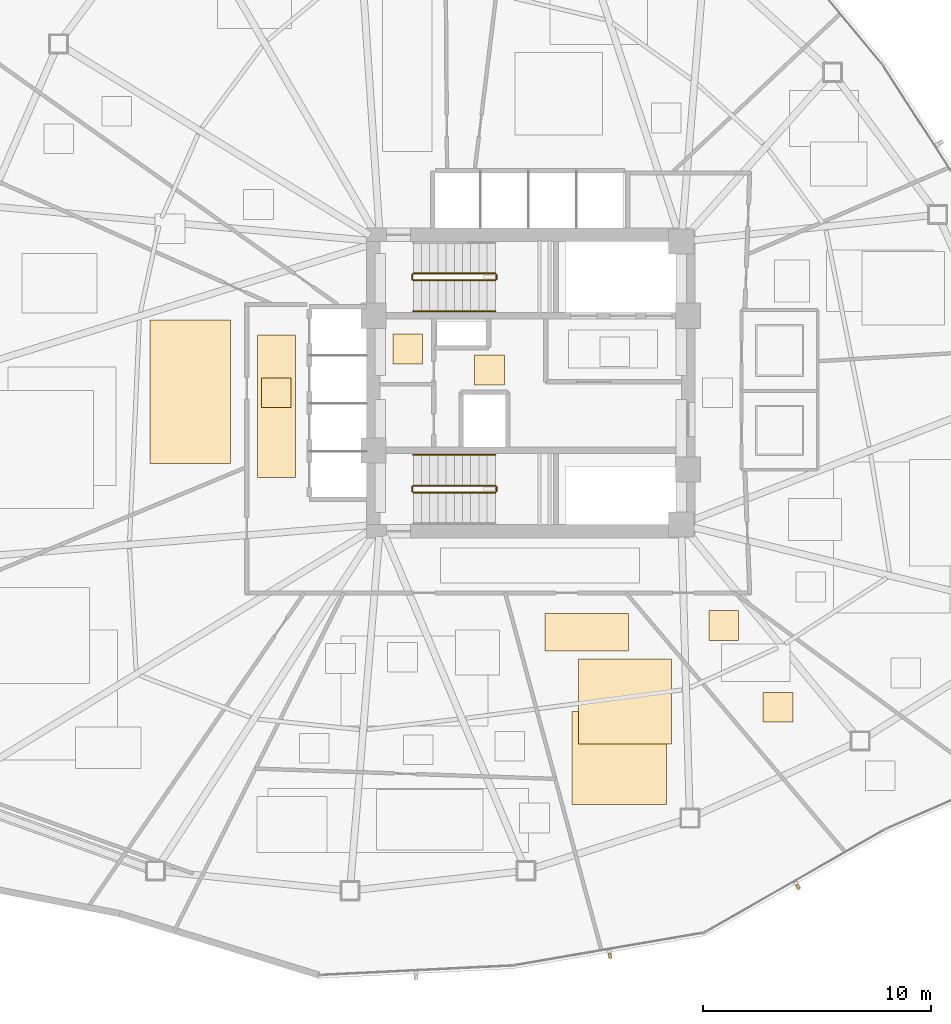
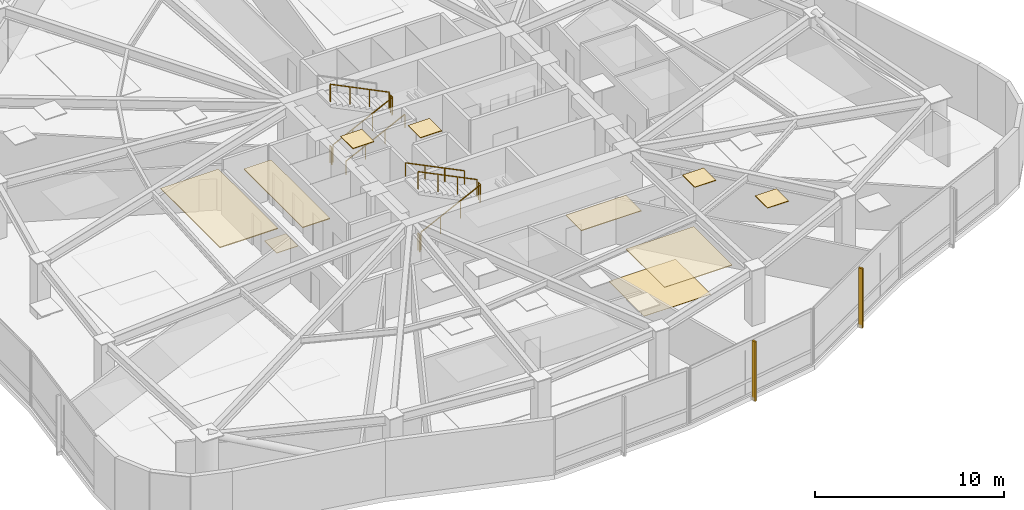
# One storey, part 16 of 18: 10 coverings, 10 railings, 2 shading devices.
"""IFC4 building model written with IfcOpenShell, lengths in metres."""

import ifcopenshell
import ifcopenshell.guid

model = None  # the IFC model being written
_history = None  # IfcOwnerHistory: only IFC2X3 demands one
_inside = {}  # id of a spatial element -> (the spatial element, [elements in it])
_under = {}  # id of a project, library or spatial element -> (it, [spatial elements below it])
_declared = {}  # id of a project -> (the project, [libraries it declares])
_typed = {}  # id of a type object -> (the type object, [elements of that type])
_made_of = {}  # id of a material, layer set ... -> (it, [elements and type objects made of it])


def new_model(schema):
    """Start an empty IFC model of exactly this schema.

    Asked for "IFC4X3", IfcOpenShell would pick the latest addendum, in which some entities
    have other attributes; the version numbers below select the first issue.
    IFC2X3 requires an IfcOwnerHistory on every rooted entity: one is made here for all.
    """
    global model, _history
    if schema == "IFC4X3":
        model = ifcopenshell.file(schema_version=(4, 3, 0, 0))
    else:
        model = ifcopenshell.file(schema=schema)
    _inside.clear()
    _under.clear()
    _declared.clear()
    _typed.clear()
    _made_of.clear()
    _history = None
    if model.schema == "IFC2X3":
        org = make("IfcOrganization", Name="unknown")
        user = make(
            "IfcPersonAndOrganization",
            ThePerson=make("IfcPerson", FamilyName="unknown"),
            TheOrganization=org,
        )
        app = make(
            "IfcApplication",
            ApplicationDeveloper=org,
            Version="unknown",
            ApplicationFullName="unknown",
            ApplicationIdentifier="unknown",
        )
        _history = make(
            "IfcOwnerHistory",
            OwningUser=user,
            OwningApplication=app,
            ChangeAction="ADDED",
            CreationDate=0,
        )
    return model


def make(cls, **values):
    """One entity of the class cls with the attributes given. An attribute that is None is left unset."""
    return model.create_entity(
        cls, **{name: value for name, value in values.items() if value is not None}
    )


def rooted(cls, **values):
    """An entity with a GlobalId (a new one), such as an element, a storey or a relation."""
    return make(cls, GlobalId=ifcopenshell.guid.new(), OwnerHistory=_history, **values)


def si_unit(unit_type, name, prefix=None):
    """IfcSIUnit, for example si_unit("LENGTHUNIT", "METRE", prefix="MILLI")."""
    return make("IfcSIUnit", UnitType=unit_type, Prefix=prefix, Name=name)


def assignment(units):
    """IfcUnitAssignment: the units of a project."""
    return None if units is None else make("IfcUnitAssignment", Units=units)


def point(xyz):
    """IfcCartesianPoint."""
    return None if xyz is None else make("IfcCartesianPoint", Coordinates=xyz)


def direction(xyz):
    """IfcDirection."""
    return None if xyz is None else make("IfcDirection", DirectionRatios=xyz)


def frame(location, z_axis=None, x_axis=None):
    """IfcAxis2Placement3D, a coordinate frame: its origin and axes. An axis left out is left unset."""
    return make(
        "IfcAxis2Placement3D",
        Location=point(location),
        Axis=direction(z_axis),
        RefDirection=direction(x_axis),
    )


def frame_2d(location, x_axis=None):
    """IfcAxis2Placement2D, a coordinate frame in the plane: its origin and x axis."""
    return make(
        "IfcAxis2Placement2D", Location=point(location), RefDirection=direction(x_axis)
    )


def origin():
    """The frame at (0, 0, 0) with its axes left unset."""
    return frame((0.0, 0.0, 0.0))


def origin_2d():
    """The frame at (0, 0) in the plane with its x axis left unset."""
    return frame_2d((0.0, 0.0))


def place(relative_to, where):
    """IfcLocalPlacement: puts the frame where relative to a parent placement (None: the world)."""
    return make(
        "IfcLocalPlacement", PlacementRelTo=relative_to, RelativePlacement=where
    )


def context(
    kind, dimensions, precision=None, world=None, true_north=None, identifier=None
):
    """IfcGeometricRepresentationContext, for example the 3D "Model" context."""
    return make(
        "IfcGeometricRepresentationContext",
        ContextIdentifier=identifier,
        ContextType=kind,
        CoordinateSpaceDimension=dimensions,
        Precision=precision,
        WorldCoordinateSystem=world,
        TrueNorth=true_north,
    )


def subcontext(parent, identifier, kind, view, scale=None):
    """IfcGeometricRepresentationSubContext, for example "Body" below "Model"."""
    return make(
        "IfcGeometricRepresentationSubContext",
        ContextIdentifier=identifier,
        ContextType=kind,
        ParentContext=parent,
        TargetScale=scale,
        TargetView=view,
    )


def project(units=None, contexts=None):
    """IfcProject with its units and contexts."""
    return rooted(
        "IfcProject",
        Name="project",
        RepresentationContexts=contexts,
        UnitsInContext=assignment(units),
    )


def spatial(cls, under=None, at=None, **own):
    """A site, building, storey or space (cls), placed at a placement, below another one or the project."""
    s = rooted(cls, ObjectPlacement=at, **own)
    if under is not None:
        _under.setdefault(under.id(), (under, []))[1].append(s)
    return s


def polyline(points):
    """IfcPolyline through the points."""
    return make("IfcPolyline", Points=[point(p) for p in points])


def profile(cls, at=None, kind="AREA", **sizes):
    """A parametric profile (cls). Its sizes go by their IFC names, for example OverallWidth=200.0."""
    return make(cls, ProfileType=kind, Position=at, **sizes)


def rectangle(**sizes):
    """IfcRectangleProfileDef."""
    return profile("IfcRectangleProfileDef", **sizes)


def outline(outer, holes=None, kind="AREA"):
    """IfcArbitraryClosedProfileDef: a profile drawn as a closed curve; with holes, ...WithVoids."""
    if holes is None:
        return make("IfcArbitraryClosedProfileDef", ProfileType=kind, OuterCurve=outer)
    return make(
        "IfcArbitraryProfileDefWithVoids",
        ProfileType=kind,
        OuterCurve=outer,
        InnerCurves=holes,
    )


def extrude(swept, where, along, depth):
    """IfcExtrudedAreaSolid: the profile swept, set in the frame where, extruded along a direction by depth."""
    return make(
        "IfcExtrudedAreaSolid",
        SweptArea=swept,
        Position=where,
        ExtrudedDirection=direction(along),
        Depth=depth,
    )


def shape(context_of_items, identifier, shape_type, items):
    """IfcShapeRepresentation: the items that make up one representation, for example the "Body"."""
    return make(
        "IfcShapeRepresentation",
        ContextOfItems=context_of_items,
        RepresentationIdentifier=identifier,
        RepresentationType=shape_type,
        Items=items,
    )


def source(mapping_origin, context_of_items, identifier, shape_type, items):
    """IfcRepresentationMap: a shape defined once, which mapped items show again and again."""
    return make(
        "IfcRepresentationMap",
        MappingOrigin=mapping_origin,
        MappedRepresentation=shape(context_of_items, identifier, shape_type, items),
    )


def transform(
    local_origin,
    x_axis=None,
    y_axis=None,
    z_axis=None,
    scale=None,
    scale2=None,
    scale3=None,
    uniform=True,
):
    """IfcCartesianTransformationOperator3D, or its non-uniform kind. x_axis, y_axis, z_axis: its Axis1, 2, 3."""
    if uniform:
        return make(
            "IfcCartesianTransformationOperator3D",
            Axis1=direction(x_axis),
            Axis2=direction(y_axis),
            LocalOrigin=point(local_origin),
            Scale=scale,
            Axis3=direction(z_axis),
        )
    return make(
        "IfcCartesianTransformationOperator3DnonUniform",
        Axis1=direction(x_axis),
        Axis2=direction(y_axis),
        LocalOrigin=point(local_origin),
        Scale=scale,
        Axis3=direction(z_axis),
        Scale2=scale2,
        Scale3=scale3,
    )


def mapped(mapping_source, mapping_target):
    """IfcMappedItem: shows the shape of a source again, moved by a transform."""
    return make(
        "IfcMappedItem", MappingSource=mapping_source, MappingTarget=mapping_target
    )


def material(Name=None, Category=None):
    """IfcMaterial."""
    return make("IfcMaterial", Name=Name, Category=Category)


def layer(
    of_material, thickness, ventilated=None, Name=None, Category=None, Priority=None
):
    """IfcMaterialLayer: one layer of a wall or slab, of a material (None: an air gap)."""
    return make(
        "IfcMaterialLayer",
        Material=of_material,
        LayerThickness=thickness,
        IsVentilated=ventilated,
        Name=Name,
        Category=Category,
        Priority=Priority,
    )


def layer_set(layers, Name=None):
    """IfcMaterialLayerSet."""
    return make("IfcMaterialLayerSet", MaterialLayers=layers, LayerSetName=Name)


def made_of(thing, what):
    """Note that an element or type object is made of a material, layer set ...; save() writes the relation."""
    if what is not None:
        _made_of.setdefault(what.id(), (what, []))[1].append(thing)
    return thing


def type_object(cls, material=None, **own):
    """A type object (cls), such as IfcWallType, which elements share."""
    return made_of(rooted(cls, **own), material)


def type_shapes(of_type, sources):
    """Give a type object the sources (RepresentationMaps) that its elements show as mapped items."""
    of_type.RepresentationMaps = sources


def element(
    cls,
    number,
    at=None,
    inside=None,
    cuts=None,
    type_object=None,
    material=None,
    context=None,
    identifier="Body",
    shape_type=None,
    held_by="IfcProductDefinitionShape",
    body=None,
    shapes=None,
    **own,
):
    """One element of the class cls, such as IfcWall. Its Tag is "e" and its number.

    at: its placement. inside: the storey or other place that contains it. cuts: it is an
    opening in that element (IfcRelVoidsElement). A single representation is given by context,
    identifier, shape_type and body (its items); several are given by shapes. held_by: the class
    of the entity that holds the representations. save() writes the other relations.
    """
    e = rooted(cls, Tag="e%d" % number, ObjectPlacement=at, **own)
    if body is not None:
        shapes = [shape(context, identifier, shape_type, body)]
    if shapes is not None:
        e.Representation = make(held_by, Representations=shapes)
    if inside is not None:
        _inside.setdefault(inside.id(), (inside, []))[1].append(e)
    if cuts is not None:
        rooted(
            "IfcRelVoidsElement", RelatingBuildingElement=cuts, RelatedOpeningElement=e
        )
    if type_object is not None:
        _typed.setdefault(type_object.id(), (type_object, []))[1].append(e)
    return made_of(e, material)


def aggregate(whole, parts):
    """IfcRelAggregates: a whole, such as a stair, and the parts it consists of."""
    return rooted("IfcRelAggregates", RelatingObject=whole, RelatedObjects=parts)


def save(model, path):
    """Write the relations noted so far, then the file.

    IfcRelAggregates (storeys below a building ...), IfcRelContainedInSpatialStructure (elements
    in a storey), IfcRelDefinesByType, IfcRelAssociatesMaterial and IfcRelDeclares: one each for
    every whole, place, type object, material and project.
    """
    for whole, parts in _under.values():
        aggregate(whole, parts)
    for where, things in _inside.values():
        rooted(
            "IfcRelContainedInSpatialStructure",
            RelatedElements=things,
            RelatingStructure=where,
        )
    for kind, things in _typed.values():
        rooted("IfcRelDefinesByType", RelatedObjects=things, RelatingType=kind)
    for what, things in _made_of.values():
        rooted("IfcRelAssociatesMaterial", RelatedObjects=things, RelatingMaterial=what)
    for by, libraries in _declared.values():
        rooted("IfcRelDeclares", RelatingContext=by, RelatedDefinitions=libraries)
    model.write(path)


model = new_model("IFC4")

# Units and contexts
model_context = context("Model", 3, precision=1e-05, world=origin(), true_north=direction((0.0, 1.0)))
body_context = subcontext(model_context, "Body", "Model", "MODEL_VIEW")
ifc_project = project(units=[si_unit("LENGTHUNIT", "METRE"), si_unit("AREAUNIT", "SQUARE_METRE"), si_unit("VOLUMEUNIT", "CUBIC_METRE"), si_unit("PLANEANGLEUNIT", "RADIAN"), si_unit("MASSUNIT", "GRAM", prefix="KILO")], contexts=[model_context])

# Site, building, storey
site_placement = place(None, origin())
site = spatial("IfcSite", under=ifc_project, at=site_placement, CompositionType="ELEMENT")
building_placement = place(site_placement, origin())
building = spatial("IfcBuilding", under=site, at=building_placement, Name="Tavelor Broadcast Tower", CompositionType="ELEMENT")
storey_placement = place(building_placement, frame((0.0, 0.0, 51.0)))
storey = spatial("IfcBuildingStorey", under=building, at=storey_placement, Name="L11", CompositionType="ELEMENT", Elevation=51.0)

# Coverings
ifc_material_1 = material(Name="Copper-Bronze Anodized Aluminium", Category="aluminium")
ifc_layer_1 = layer(ifc_material_1, 0.044921875)
ifc_layer_set_1 = layer_set([ifc_layer_1], Name="Copper-Bronze Anodized Aluminium")
covering_type_1 = type_object("IfcCoveringType", Name="Anodised Bronze Linear Slatted Concourse Ceiling 45 mm", PredefinedType="CEILING", material=ifc_layer_set_1)
covering_1_placement = place(storey_placement, frame((0.0, 0.0, 3.554931640625)))
element("IfcCovering", 1, at=covering_1_placement, inside=storey, type_object=covering_type_1, Name="L11 Suspended Acoustic Ceiling 0389", PredefinedType="CEILING", context=body_context, shape_type="SweptSolid", body=[
    extrude(outline(polyline([(47.5400390625, 44.919921875), (48.840087890625, 44.919921875), (48.840087890625, 46.219970703125), (47.5400390625, 46.219970703125), (47.5400390625, 44.919921875)])), origin(), (0.0, 0.0, 1.0), 0.045166015625),
])
covering_2_placement = place(storey_placement, frame((0.0, 0.0, 3.554931640625)))
element("IfcCovering", 2, at=covering_2_placement, inside=storey, type_object=covering_type_1, Name="L11 Suspended Acoustic Ceiling 0393", PredefinedType="CEILING", context=body_context, shape_type="SweptSolid", body=[
    extrude(outline(polyline([(38.01611328125, 40.868896484375), (39.683837890625, 40.868896484375), (39.683837890625, 47.096923828125), (38.01611328125, 47.096923828125), (38.01611328125, 40.868896484375)])), origin(), (0.0, 0.0, 1.0), 0.045166015625),
])

# Railings
ifc_material_2 = material(Name="Steel S355", Category="steel")
railing_type_1 = type_object("IfcRailingType", Name="Continuous Brushed Stainless Handrail 900 mm", PredefinedType="HANDRAIL", material=ifc_material_2)
railing_1_placement = place(storey_placement, frame((44.85009765625, 48.14990234375, 0.17724609375)))
element("IfcRailing", 3, at=railing_1_placement, inside=storey, type_object=railing_type_1, Name="L11 ST1 stair handrail 1", PredefinedType="HANDRAIL", context=body_context, shape_type="SweptSolid", body=[
    extrude(rectangle(XDim=0.048095703125, YDim=0.048095703125, at=origin_2d()), frame((0.0, 0.0, 0.8759765625), z_axis=(0.897124305991, 0.0, 0.441778201817), x_axis=(0.0, 1.0, 0.0)), (0.0, 0.0, 1.0), 4.0126953125),
    extrude(rectangle(XDim=0.0419921875, YDim=0.0419921875, at=origin_2d()), origin(), (0.0, 0.0, 1.0), 0.851806640625),
    extrude(rectangle(XDim=0.0419921875, YDim=0.0419921875, at=origin_2d()), frame((1.199951171875, 0.0, 0.5908203125)), (0.0, 0.0, 1.0), 0.851806640625),
    extrude(rectangle(XDim=0.0419921875, YDim=0.0419921875, at=origin_2d()), frame((2.39990234375, 0.0, 1.181884765625)), (0.0, 0.0, 1.0), 0.851806640625),
    extrude(rectangle(XDim=0.0419921875, YDim=0.0419921875, at=origin_2d()), frame((3.599853515625, 0.0, 1.772705078125)), (0.0, 0.0, 1.0), 0.851806640625),
])
railing_2_placement = place(storey_placement, frame((48.449951171875, 41.85009765625, 2.127197265625)))
element("IfcRailing", 4, at=railing_2_placement, inside=storey, type_object=railing_type_1, Name="L11 ST2 stair handrail 2", PredefinedType="HANDRAIL", context=body_context, shape_type="SweptSolid", body=[
    extrude(rectangle(XDim=0.048095703125, YDim=0.048095703125, at=origin_2d()), frame((0.0, 0.0, 0.8759765625), z_axis=(-0.897124305991, 0.0, 0.441778201817), x_axis=(0.0, -1.0, 0.0)), (0.0, 0.0, 1.0), 4.0126953125),
    extrude(rectangle(XDim=0.0419921875, YDim=0.0419921875, at=origin_2d()), origin(), (0.0, 0.0, 1.0), 0.851806640625),
    extrude(rectangle(XDim=0.0419921875, YDim=0.0419921875, at=origin_2d()), frame((-1.199951171875, 0.0, 0.5908203125)), (0.0, 0.0, 1.0), 0.851806640625),
    extrude(rectangle(XDim=0.0419921875, YDim=0.0419921875, at=origin_2d()), frame((-2.39990234375, 0.0, 1.181884765625)), (0.0, 0.0, 1.0), 0.851806640625),
    extrude(rectangle(XDim=0.0419921875, YDim=0.0419921875, at=origin_2d()), frame((-3.599853515625, 0.0, 1.772705078125)), (0.0, 0.0, 1.0), 0.851806640625),
])

# Coverings
ifc_material_3 = material(Name="Acoustic Nylon Carpet Tile")
ifc_layer_2 = layer(ifc_material_3, 0.02001953125)
ifc_layer_set_2 = layer_set([ifc_layer_2], Name="Acoustic Nylon Carpet Tile")
covering_type_2 = type_object("IfcCoveringType", Name="Heavy-Duty Acoustic Broadcast Carpet Tile 20 mm", PredefinedType="FLOORING", material=ifc_layer_set_2)
covering_3_placement = place(storey_placement, origin())
element("IfcCovering", 5, at=covering_3_placement, inside=storey, type_object=covering_type_2, Name="L11 Broadcast Floor Finish 0152", PredefinedType="FLOORING", context=body_context, shape_type="SweptSolid", body=[
    extrude(outline(polyline([(52.105224609375, 29.17578125), (56.17578125, 29.17578125), (56.17578125, 32.90087890625), (52.105224609375, 32.90087890625), (52.105224609375, 29.17578125)])), origin(), (0.0, 0.0, 1.0), 0.02001953125),
])
ifc_material_4 = material(Name="Honed Natural Limestone Tile", Category="masonry")
ifc_layer_3 = layer(ifc_material_4, 0.030029296875)
ifc_layer_set_3 = layer_set([ifc_layer_3], Name="Honed Natural Limestone Tile")
covering_type_3 = type_object("IfcCoveringType", Name="Honed Jerusalem Limestone Concourse Flooring 30 mm", PredefinedType="FLOORING", material=ifc_layer_set_3)
covering_4_placement = place(storey_placement, origin())
element("IfcCovering", 6, at=covering_4_placement, inside=storey, type_object=covering_type_3, Name="L11 Broadcast Floor Finish 0138", PredefinedType="FLOORING", context=body_context, shape_type="SweptSolid", body=[
    extrude(outline(polyline([(38.199951171875, 43.925048828125), (39.5, 43.925048828125), (39.5, 45.22509765625), (38.199951171875, 45.22509765625), (38.199951171875, 43.925048828125)])), origin(), (0.0, 0.0, 1.0), 0.030029296875),
])
ifc_material_5 = material(Name="Acoustic Perforated Timber Baffle", Category="wood")
ifc_layer_4 = layer(ifc_material_5, 0.054931640625)
ifc_layer_set_4 = layer_set([ifc_layer_4], Name="Acoustic Perforated Timber Baffle")
covering_type_4 = type_object("IfcCoveringType", Name="Micro-Perforated Acoustic Baffle Studio Ceiling 55 mm", PredefinedType="CEILING", material=ifc_layer_set_4)
covering_5_placement = place(storey_placement, frame((0.0, 0.0, 3.544921875)))
element("IfcCovering", 7, at=covering_5_placement, inside=storey, type_object=covering_type_4, Name="L11 Suspended Acoustic Ceiling 0404", PredefinedType="CEILING", context=body_context, shape_type="SweptSolid", body=[
    extrude(outline(polyline([(33.31201171875, 41.46337890625), (36.8427734375, 41.46337890625), (36.8427734375, 47.754638671875), (33.31201171875, 47.754638671875), (33.31201171875, 41.46337890625)])), origin(), (0.0, 0.0, 1.0), 0.05517578125),
])

# Railings
railing_type_2 = type_object("IfcRailingType", Name="Stairwell Steel Safety Guardrail 1150 mm", PredefinedType="GUARDRAIL", material=ifc_material_2)
railing_3_placement = place(storey_placement, frame((44.85009765625, 49.5, 0.17724609375)))
element("IfcRailing", 8, at=railing_3_placement, inside=storey, type_object=railing_type_2, Name="L11 ST1 stair guard 1", PredefinedType="GUARDRAIL", context=body_context, shape_type="SweptSolid", body=[
    extrude(rectangle(XDim=0.048095703125, YDim=0.048095703125, at=origin_2d()), frame((0.0, 0.0, 1.1259765625), z_axis=(0.897124305991, 0.0, 0.441778201817), x_axis=(0.0, 1.0, 0.0)), (0.0, 0.0, 1.0), 4.0126953125),
    extrude(rectangle(XDim=0.0419921875, YDim=0.0419921875, at=origin_2d()), origin(), (0.0, 0.0, 1.0), 1.101806640625),
    extrude(rectangle(XDim=0.0419921875, YDim=0.0419921875, at=origin_2d()), frame((1.199951171875, 0.0, 0.5908203125)), (0.0, 0.0, 1.0), 1.101806640625),
    extrude(rectangle(XDim=0.0419921875, YDim=0.0419921875, at=origin_2d()), frame((2.39990234375, 0.0, 1.181884765625)), (0.0, 0.0, 1.0), 1.101806640625),
    extrude(rectangle(XDim=0.0419921875, YDim=0.0419921875, at=origin_2d()), frame((3.599853515625, 0.0, 1.772705078125)), (0.0, 0.0, 1.0), 1.101806640625),
])
railing_4_placement = place(storey_placement, frame((48.5, 49.550048828125, 1.949951171875)))
element("IfcRailing", 9, at=railing_4_placement, inside=storey, type_object=railing_type_2, Name="L11 ST1 stair guard 2", PredefinedType="GUARDRAIL", context=body_context, shape_type="SweptSolid", body=[
    extrude(rectangle(XDim=0.048095703125, YDim=0.048095703125, at=origin_2d()), frame((0.0, 0.0, 1.1259765625), z_axis=(0.0, 1.0, 0.0), x_axis=(-1.0, 0.0, 0.0)), (0.0, 0.0, 1.0), 0.199951171875),
    extrude(rectangle(XDim=0.0419921875, YDim=0.0419921875, at=origin_2d()), origin(), (0.0, 0.0, 1.0), 1.101806640625),
    extrude(rectangle(XDim=0.0419921875, YDim=0.0419921875, at=origin_2d()), frame((0.0, 0.199951171875, 0.0)), (0.0, 0.0, 1.0), 1.101806640625),
])
railing_5_placement = place(storey_placement, frame((48.449951171875, 49.800048828125, 2.127197265625)))
element("IfcRailing", 10, at=railing_5_placement, inside=storey, type_object=railing_type_2, Name="L11 ST1 stair guard 3", PredefinedType="GUARDRAIL", context=body_context, shape_type="SweptSolid", body=[
    extrude(rectangle(XDim=0.048095703125, YDim=0.048095703125, at=origin_2d()), frame((0.0, 0.0, 1.1259765625), z_axis=(-0.897124305991, 0.0, 0.441778201817), x_axis=(0.0, -1.0, 0.0)), (0.0, 0.0, 1.0), 4.0126953125),
    extrude(rectangle(XDim=0.0419921875, YDim=0.0419921875, at=origin_2d()), origin(), (0.0, 0.0, 1.0), 1.101806640625),
    extrude(rectangle(XDim=0.0419921875, YDim=0.0419921875, at=origin_2d()), frame((-1.199951171875, 0.0, 0.5908203125)), (0.0, 0.0, 1.0), 1.101806640625),
    extrude(rectangle(XDim=0.0419921875, YDim=0.0419921875, at=origin_2d()), frame((-2.39990234375, 0.0, 1.181884765625)), (0.0, 0.0, 1.0), 1.101806640625),
    extrude(rectangle(XDim=0.0419921875, YDim=0.0419921875, at=origin_2d()), frame((-3.599853515625, 0.0, 1.772705078125)), (0.0, 0.0, 1.0), 1.101806640625),
])
railing_6_placement = place(storey_placement, frame((44.800048828125, 49.550048828125, 0.0)))
element("IfcRailing", 11, at=railing_6_placement, inside=storey, type_object=railing_type_2, Name="L11 ST1 stair guard 4", PredefinedType="GUARDRAIL", context=body_context, shape_type="SweptSolid", body=[
    extrude(rectangle(XDim=0.048095703125, YDim=0.048095703125, at=origin_2d()), frame((0.0, 0.0, 1.1259765625), z_axis=(0.0, 1.0, 0.0), x_axis=(-1.0, 0.0, 0.0)), (0.0, 0.0, 1.0), 0.199951171875),
    extrude(rectangle(XDim=0.0419921875, YDim=0.0419921875, at=origin_2d()), origin(), (0.0, 0.0, 1.0), 1.101806640625),
    extrude(rectangle(XDim=0.0419921875, YDim=0.0419921875, at=origin_2d()), frame((0.0, 0.199951171875, 0.0)), (0.0, 0.0, 1.0), 1.101806640625),
])
railing_7_placement = place(storey_placement, frame((44.85009765625, 40.199951171875, 0.17724609375)))
element("IfcRailing", 12, at=railing_7_placement, inside=storey, type_object=railing_type_2, Name="L11 ST2 stair guard 1", PredefinedType="GUARDRAIL", context=body_context, shape_type="SweptSolid", body=[
    extrude(rectangle(XDim=0.048095703125, YDim=0.048095703125, at=origin_2d()), frame((0.0, 0.0, 1.1259765625), z_axis=(0.897124305991, 0.0, 0.441778201817), x_axis=(0.0, 1.0, 0.0)), (0.0, 0.0, 1.0), 4.0126953125),
    extrude(rectangle(XDim=0.0419921875, YDim=0.0419921875, at=origin_2d()), origin(), (0.0, 0.0, 1.0), 1.101806640625),
    extrude(rectangle(XDim=0.0419921875, YDim=0.0419921875, at=origin_2d()), frame((1.199951171875, 0.0, 0.5908203125)), (0.0, 0.0, 1.0), 1.101806640625),
    extrude(rectangle(XDim=0.0419921875, YDim=0.0419921875, at=origin_2d()), frame((2.39990234375, 0.0, 1.181884765625)), (0.0, 0.0, 1.0), 1.101806640625),
    extrude(rectangle(XDim=0.0419921875, YDim=0.0419921875, at=origin_2d()), frame((3.599853515625, 0.0, 1.772705078125)), (0.0, 0.0, 1.0), 1.101806640625),
])
railing_8_placement = place(storey_placement, frame((48.5, 40.25, 1.949951171875)))
element("IfcRailing", 13, at=railing_8_placement, inside=storey, type_object=railing_type_2, Name="L11 ST2 stair guard 2", PredefinedType="GUARDRAIL", context=body_context, shape_type="SweptSolid", body=[
    extrude(rectangle(XDim=0.048095703125, YDim=0.048095703125, at=origin_2d()), frame((0.0, 0.0, 1.1259765625), z_axis=(0.0, 1.0, 0.0), x_axis=(-1.0, 0.0, 0.0)), (0.0, 0.0, 1.0), 0.199951171875),
    extrude(rectangle(XDim=0.0419921875, YDim=0.0419921875, at=origin_2d()), origin(), (0.0, 0.0, 1.0), 1.101806640625),
    extrude(rectangle(XDim=0.0419921875, YDim=0.0419921875, at=origin_2d()), frame((0.0, 0.199951171875, 0.0)), (0.0, 0.0, 1.0), 1.101806640625),
])
railing_9_placement = place(storey_placement, frame((48.449951171875, 40.5, 2.127197265625)))
element("IfcRailing", 14, at=railing_9_placement, inside=storey, type_object=railing_type_2, Name="L11 ST2 stair guard 3", PredefinedType="GUARDRAIL", context=body_context, shape_type="SweptSolid", body=[
    extrude(rectangle(XDim=0.048095703125, YDim=0.048095703125, at=origin_2d()), frame((0.0, 0.0, 1.1259765625), z_axis=(-0.897124305991, 0.0, 0.441778201817), x_axis=(0.0, -1.0, 0.0)), (0.0, 0.0, 1.0), 4.0126953125),
    extrude(rectangle(XDim=0.0419921875, YDim=0.0419921875, at=origin_2d()), origin(), (0.0, 0.0, 1.0), 1.101806640625),
    extrude(rectangle(XDim=0.0419921875, YDim=0.0419921875, at=origin_2d()), frame((-1.199951171875, 0.0, 0.5908203125)), (0.0, 0.0, 1.0), 1.101806640625),
    extrude(rectangle(XDim=0.0419921875, YDim=0.0419921875, at=origin_2d()), frame((-2.39990234375, 0.0, 1.181884765625)), (0.0, 0.0, 1.0), 1.101806640625),
    extrude(rectangle(XDim=0.0419921875, YDim=0.0419921875, at=origin_2d()), frame((-3.599853515625, 0.0, 1.772705078125)), (0.0, 0.0, 1.0), 1.101806640625),
])
railing_10_placement = place(storey_placement, frame((44.800048828125, 40.25, 0.0)))
element("IfcRailing", 15, at=railing_10_placement, inside=storey, type_object=railing_type_2, Name="L11 ST2 stair guard 4", PredefinedType="GUARDRAIL", context=body_context, shape_type="SweptSolid", body=[
    extrude(rectangle(XDim=0.048095703125, YDim=0.048095703125, at=origin_2d()), frame((0.0, 0.0, 1.1259765625), z_axis=(0.0, 1.0, 0.0), x_axis=(-1.0, 0.0, 0.0)), (0.0, 0.0, 1.0), 0.199951171875),
    extrude(rectangle(XDim=0.0419921875, YDim=0.0419921875, at=origin_2d()), origin(), (0.0, 0.0, 1.0), 1.101806640625),
    extrude(rectangle(XDim=0.0419921875, YDim=0.0419921875, at=origin_2d()), frame((0.0, 0.199951171875, 0.0)), (0.0, 0.0, 1.0), 1.101806640625),
])

# Coverings
ifc_material_6 = material(Name="Acoustic Mineral Fibre Tile")
ifc_layer_5 = layer(ifc_material_6, 0.0400390625)
ifc_layer_set_5 = layer_set([ifc_layer_5], Name="Acoustic Mineral Fibre Tile")
covering_type_5 = type_object("IfcCoveringType", Name="Suspended Acoustic Mineral-Fibre Office Ceiling 40 mm", PredefinedType="CEILING", material=ifc_layer_set_5)
covering_6_placement = place(storey_placement, frame((0.0, 0.0, 3.56005859375)))
element("IfcCovering", 16, at=covering_6_placement, inside=storey, type_object=covering_type_5, Name="L11 Suspended Acoustic Ceiling 0390", PredefinedType="CEILING", context=body_context, shape_type="SweptSolid", body=[
    extrude(outline(polyline([(43.951416015625, 45.843017578125), (45.25146484375, 45.843017578125), (45.25146484375, 47.14306640625), (43.951416015625, 47.14306640625), (43.951416015625, 45.843017578125)])), origin(), (0.0, 0.0, 1.0), 0.0400390625),
])
covering_7_placement = place(storey_placement, frame((0.0, 0.0, 3.56005859375)))
element("IfcCovering", 17, at=covering_7_placement, inside=storey, type_object=covering_type_5, Name="L11 Suspended Acoustic Ceiling 0429", PredefinedType="CEILING", context=body_context, shape_type="SweptSolid", body=[
    extrude(outline(polyline([(57.815673828125, 33.718505859375), (59.11572265625, 33.718505859375), (59.11572265625, 35.0185546875), (57.815673828125, 35.0185546875), (57.815673828125, 33.718505859375)])), origin(), (0.0, 0.0, 1.0), 0.0400390625),
])
covering_8_placement = place(storey_placement, frame((0.0, 0.0, 3.56005859375)))
element("IfcCovering", 18, at=covering_8_placement, inside=storey, type_object=covering_type_5, Name="L11 Suspended Acoustic Ceiling 0431", PredefinedType="CEILING", context=body_context, shape_type="SweptSolid", body=[
    extrude(outline(polyline([(60.1904296875, 30.138671875), (61.490478515625, 30.138671875), (61.490478515625, 31.438720703125), (60.1904296875, 31.438720703125), (60.1904296875, 30.138671875)])), origin(), (0.0, 0.0, 1.0), 0.0400390625),
])
covering_9_placement = place(storey_placement, frame((0.0, 0.0, 3.56005859375)))
element("IfcCovering", 19, at=covering_9_placement, inside=storey, type_object=covering_type_5, Name="L11 Suspended Acoustic Ceiling 0432", PredefinedType="CEILING", context=body_context, shape_type="SweptSolid", body=[
    extrude(outline(polyline([(50.627197265625, 33.254638671875), (54.28466796875, 33.254638671875), (54.28466796875, 34.90478515625), (50.627197265625, 34.90478515625), (50.627197265625, 33.254638671875)])), origin(), (0.0, 0.0, 1.0), 0.0400390625),
])
covering_10_placement = place(storey_placement, frame((0.0, 0.0, 3.56005859375)))
element("IfcCovering", 20, at=covering_10_placement, inside=storey, type_object=covering_type_5, Name="L11 Suspended Acoustic Ceiling 0433", PredefinedType="CEILING", context=body_context, shape_type="SweptSolid", body=[
    extrude(outline(polyline([(51.8173828125, 26.51953125), (55.9453125, 26.51953125), (55.9453125, 30.599365234375), (51.8173828125, 30.599365234375), (51.8173828125, 26.51953125)])), origin(), (0.0, 0.0, 1.0), 0.0400390625),
])

# Shading devices
ifc_material_7 = material(Name="Kiln-Fired Glazed Terracotta", Category="masonry")
shading_device_type = type_object("IfcShadingDeviceType", Name="Extruded Terracotta Baguette Sun-Screen 110x240", PredefinedType="JALOUSIE", material=ifc_material_7)
shared_shape = source(origin(), body_context, "Body", "SweptSolid", [
    extrude(rectangle(XDim=0.110107421875, YDim=0.239990234375, at=origin_2d()), origin(), (0.0, 0.0, 1.0), 3.840087890625),
])
type_shapes(shading_device_type, [shared_shape])
for number, where, z_axis, x_axis, name in (
    (21, (53.475341796875, 19.888916015625, -0.26025390625), (0.0, 0.0, 1.0), (0.985467252771, 0.169865516557, 0.0), "L11 Terracotta Baguette Fin 90"),
    (22, (61.7197265625, 22.90771484375, -0.26025390625), (0.0, 0.0, 1.0), (0.868198814489, 0.496216503675, 0.0), "L11 Terracotta Baguette Fin 91"),
):
    element("IfcShadingDevice", number, at=place(storey_placement, frame(where, z_axis=z_axis, x_axis=x_axis)), inside=storey, type_object=shading_device_type, Name=name, PredefinedType="JALOUSIE", context=body_context, shape_type="MappedRepresentation", body=[
        mapped(shared_shape, transform((0.0, 0.0, 0.0), scale=1.0)),
    ])

save(model, "model.ifc")
